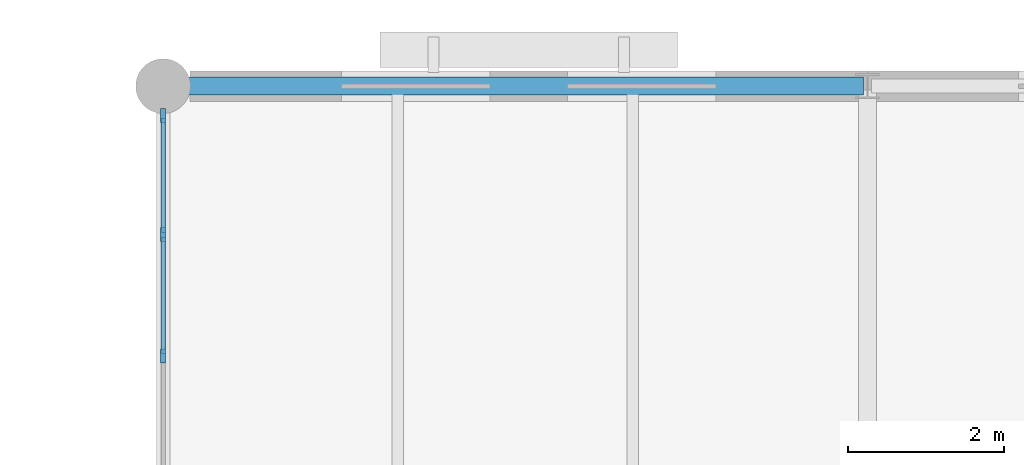
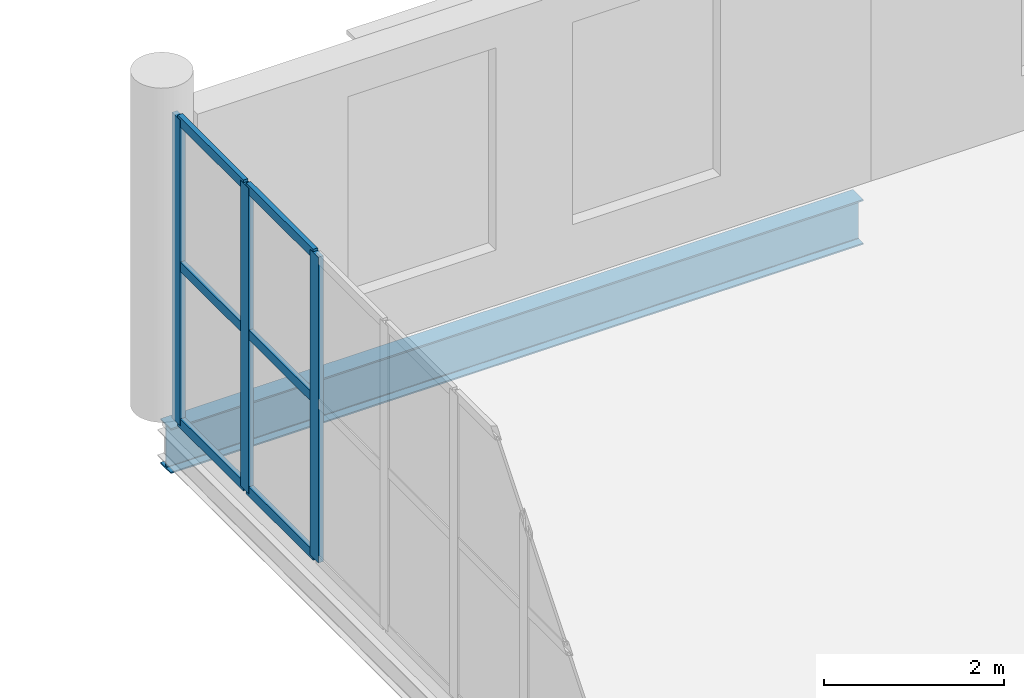
# One storey, part 49 of 93: 9 members, 1 beam, 1 element without a shape of its own.
"""IFC4 building model written with IfcOpenShell, lengths in metres."""

from ifc_helpers import new_model, si_unit, direction, frame, origin, origin_2d, place, context, subcontext, project, spatial, rectangle, i_section, extrude, material, layer, layer_set, material_profile, profile_set, type_object, element, aggregate, save


model = new_model("IFC4")

# Units and contexts
model_context = context("Model", 3, precision=1e-05, world=origin(), true_north=direction((0.0, 1.0)))
body_context = subcontext(model_context, "Body", "Model", "MODEL_VIEW")
ifc_project = project(units=[si_unit("LENGTHUNIT", "METRE"), si_unit("AREAUNIT", "SQUARE_METRE"), si_unit("VOLUMEUNIT", "CUBIC_METRE"), si_unit("PLANEANGLEUNIT", "RADIAN"), si_unit("MASSUNIT", "GRAM", prefix="KILO")], contexts=[model_context])

# Site, building, storey
site_placement = place(None, origin())
site = spatial("IfcSite", under=ifc_project, at=site_placement, CompositionType="ELEMENT")
building_placement = place(site_placement, origin())
building = spatial("IfcBuilding", under=site, at=building_placement, Name="Marnock Terrace Opera House", CompositionType="ELEMENT")
storey_placement = place(building_placement, frame((0.0, 0.0, 5.39990234375)))
storey = spatial("IfcBuildingStorey", under=building, at=storey_placement, Name="L01", CompositionType="ELEMENT", Elevation=5.39990234375)

# Beam
ifc_material_1 = material(Name="Steel Grade 350 (AS/NZS 3679.1)", Category="steel")
ifc_material_profile_1 = material_profile(ifc_material_1, i_section(OverallWidth=0.22900390625, OverallDepth=0.611572265625, WebThickness=0.011962890625, FlangeThickness=0.01953125, FilletRadius=0.013916015625, at=origin_2d()))
ifc_profile_set_1 = profile_set([ifc_material_profile_1], Name="Steel Grade 350 (AS/NZS 3679.1)")
beam_type = type_object("IfcBeamType", Name="BM-GIRD-610A", PredefinedType="BEAM", material=ifc_profile_set_1)
beam_placement = place(storey_placement, frame((118.050048828125, 104.0, -0.585693359375), z_axis=(1.0, 0.0, 0.0), x_axis=(0.0, 1.0, 0.0)))
element("IfcBeam", 1, at=beam_placement, inside=storey, type_object=beam_type, Name="L01 girder (118.0..127.0, Y=104.0)", PredefinedType="BEAM", context=body_context, shape_type="SweptSolid", body=[
    extrude(i_section(OverallWidth=0.22900390625, OverallDepth=0.611572265625, WebThickness=0.011962890625, FlangeThickness=0.01953125, FilletRadius=0.013916015625, at=origin_2d()), origin(), (0.0, 0.0, 1.0), 8.89990234375),
])

# Curtain wall, members
ifc_material_2 = material(Name="Anodised architectural bronze aluminium framing", Category="aluminium")
ifc_layer = layer(ifc_material_2, 0.159912109375)
ifc_layer_set = layer_set([ifc_layer], Name="Anodised architectural bronze aluminium framing")
curtain_wall_type = type_object("IfcCurtainWallType", Name="CW-FOYER-95x45", PredefinedType="NOTDEFINED", material=ifc_layer_set)
curtain_wall_placement = place(storey_placement, origin())
curtain_wall = element("IfcCurtainWall", 2, at=curtain_wall_placement, inside=storey, type_object=curtain_wall_type, Name="L01 glazed Beaux-Arts colonnade curtain wall CW-V5-L01-W8", PredefinedType="NOTDEFINED")
ifc_material_profile_2 = material_profile(ifc_material_2, rectangle(XDim=0.06494140625, YDim=0.179931640625, at=origin_2d()))
ifc_profile_set_2 = profile_set([ifc_material_profile_2], Name="Anodised architectural bronze aluminium framing")
member_type_1 = type_object("IfcMemberType", Name="CWM-65x180", PredefinedType="MULLION", material=ifc_profile_set_2)
member_1_placement = place(storey_placement, frame((118.0, 100.55126953125, 0.0), z_axis=(0.0, 0.0, 1.0), x_axis=(-1.0, 0.0, 0.0)))
member_1 = element("IfcMember", 3, at=member_1_placement, type_object=member_type_1, Name="CW-53 mullion 5", PredefinedType="MULLION", context=body_context, shape_type="SweptSolid", body=[
    extrude(rectangle(XDim=0.06494140625, YDim=0.179931640625, at=origin_2d()), origin(), (0.0, 0.0, 1.0), 4.154541015625),
])
member_2_placement = place(storey_placement, frame((118.0, 102.102783203125, 0.0), z_axis=(0.0, 0.0, 1.0), x_axis=(-1.0, 0.0, 0.0)))
member_2 = element("IfcMember", 4, at=member_2_placement, type_object=member_type_1, Name="CW-53 mullion 6", PredefinedType="MULLION", context=body_context, shape_type="SweptSolid", body=[
    extrude(rectangle(XDim=0.06494140625, YDim=0.179931640625, at=origin_2d()), origin(), (0.0, 0.0, 1.0), 4.154541015625),
])
member_3_placement = place(storey_placement, frame((118.0, 103.6240234375, 0.0), z_axis=(0.0, 0.0, 1.0), x_axis=(-1.0, 0.0, 0.0)))
member_3 = element("IfcMember", 5, at=member_3_placement, type_object=member_type_1, Name="CW-53 mullion 7", PredefinedType="MULLION", context=body_context, shape_type="SweptSolid", body=[
    extrude(rectangle(XDim=0.06494140625, YDim=0.179931640625, at=origin_2d()), origin(), (0.0, 0.0, 1.0), 4.154541015625),
])
ifc_material_profile_3 = material_profile(ifc_material_2, rectangle(XDim=0.06005859375, YDim=0.1298828125, at=origin_2d()))
ifc_profile_set_3 = profile_set([ifc_material_profile_3], Name="Anodised architectural bronze aluminium framing")
member_type_2 = type_object("IfcMemberType", Name="CWT-60x130", PredefinedType="USERDEFINED", material=ifc_profile_set_3)
member_4_placement = place(storey_placement, frame((118.0, 100.581298828125, 0.030029296875), z_axis=(0.0, 1.0, 0.0), x_axis=(-1.0, 0.0, 0.0)))
member_4 = element("IfcMember", 6, at=member_4_placement, type_object=member_type_2, Name="CW-53 transom 5.1", ObjectType="TRANSOM", PredefinedType="USERDEFINED", context=body_context, shape_type="SweptSolid", body=[
    extrude(rectangle(XDim=0.06005859375, YDim=0.1298828125, at=origin_2d()), origin(), (0.0, 0.0, 1.0), 1.491455078125),
])
member_5_placement = place(storey_placement, frame((118.0, 100.581298828125, 2.160400390625), z_axis=(0.0, 1.0, 0.0), x_axis=(-1.0, 0.0, 0.0)))
member_5 = element("IfcMember", 7, at=member_5_placement, type_object=member_type_2, Name="CW-53 transom 5.2", ObjectType="TRANSOM", PredefinedType="USERDEFINED", context=body_context, shape_type="SweptSolid", body=[
    extrude(rectangle(XDim=0.06005859375, YDim=0.1298828125, at=origin_2d()), origin(), (0.0, 0.0, 1.0), 1.491455078125),
])
member_6_placement = place(storey_placement, frame((118.0, 100.581298828125, 4.12451171875), z_axis=(0.0, 1.0, 0.0), x_axis=(-1.0, 0.0, 0.0)))
member_6 = element("IfcMember", 8, at=member_6_placement, type_object=member_type_2, Name="CW-53 transom 5.3", ObjectType="TRANSOM", PredefinedType="USERDEFINED", context=body_context, shape_type="SweptSolid", body=[
    extrude(rectangle(XDim=0.06005859375, YDim=0.1298828125, at=origin_2d()), origin(), (0.0, 0.0, 1.0), 1.491455078125),
])
member_7_placement = place(storey_placement, frame((118.0, 102.132568359375, 0.030029296875), z_axis=(0.0, 1.0, 0.0), x_axis=(-1.0, 0.0, 0.0)))
member_7 = element("IfcMember", 9, at=member_7_placement, type_object=member_type_2, Name="CW-53 transom 6.1", ObjectType="TRANSOM", PredefinedType="USERDEFINED", context=body_context, shape_type="SweptSolid", body=[
    extrude(rectangle(XDim=0.06005859375, YDim=0.1298828125, at=origin_2d()), origin(), (0.0, 0.0, 1.0), 1.46142578125),
])
member_8_placement = place(storey_placement, frame((118.0, 102.132568359375, 2.160400390625), z_axis=(0.0, 1.0, 0.0), x_axis=(-1.0, 0.0, 0.0)))
member_8 = element("IfcMember", 10, at=member_8_placement, type_object=member_type_2, Name="CW-53 transom 6.2", ObjectType="TRANSOM", PredefinedType="USERDEFINED", context=body_context, shape_type="SweptSolid", body=[
    extrude(rectangle(XDim=0.06005859375, YDim=0.1298828125, at=origin_2d()), origin(), (0.0, 0.0, 1.0), 1.46142578125),
])
member_9_placement = place(storey_placement, frame((118.0, 102.132568359375, 4.12451171875), z_axis=(0.0, 1.0, 0.0), x_axis=(-1.0, 0.0, 0.0)))
member_9 = element("IfcMember", 11, at=member_9_placement, type_object=member_type_2, Name="CW-53 transom 6.3", ObjectType="TRANSOM", PredefinedType="USERDEFINED", context=body_context, shape_type="SweptSolid", body=[
    extrude(rectangle(XDim=0.06005859375, YDim=0.1298828125, at=origin_2d()), origin(), (0.0, 0.0, 1.0), 1.46142578125),
])
aggregate(curtain_wall, [member_1, member_2, member_3, member_4, member_5, member_6, member_7, member_8, member_9])

save(model, "model.ifc")
